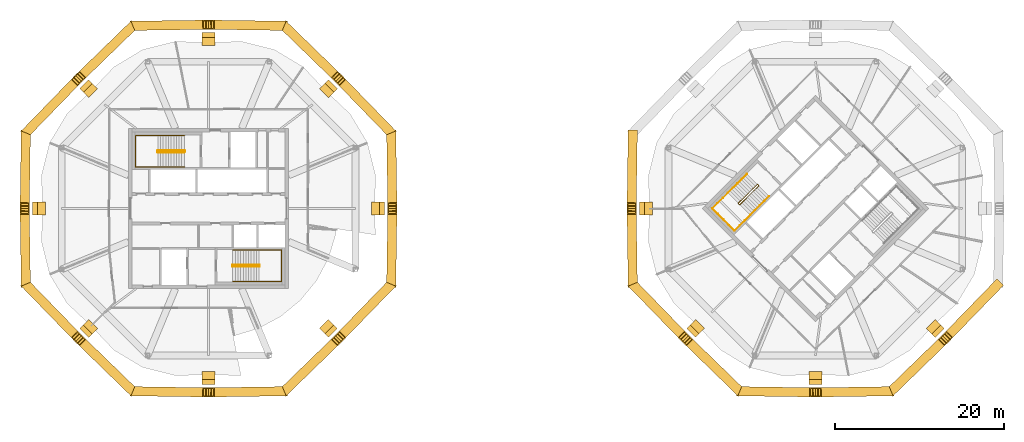
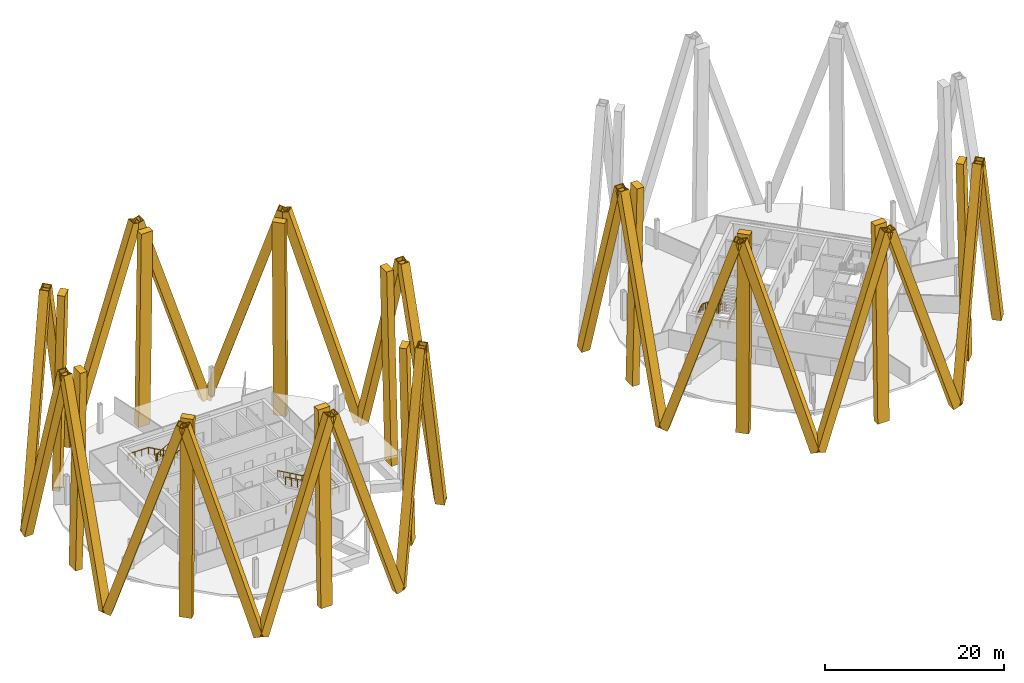
# One storey, part 10 of 11: 36 coverings, 6 railings.
"""IFC4 building model written with IfcOpenShell, lengths in metres."""

from ifc_helpers import new_model, si_unit, direction, frame, origin, origin_2d, place, context, subcontext, project, spatial, rectangle, hollow_rectangle, circle, extrude, material, material_profile, profile_set, type_object, element, save


model = new_model("IFC4")

# Units and contexts
model_context = context("Model", 3, precision=1e-05, world=origin(), true_north=direction((0.0, 1.0)))
body_context = subcontext(model_context, "Body", "Model", "MODEL_VIEW")
ifc_project = project(units=[si_unit("LENGTHUNIT", "METRE"), si_unit("AREAUNIT", "SQUARE_METRE"), si_unit("VOLUMEUNIT", "CUBIC_METRE"), si_unit("PLANEANGLEUNIT", "RADIAN"), si_unit("MASSUNIT", "GRAM", prefix="KILO")], contexts=[model_context])

# Site, building, storey
site_placement = place(None, origin())
site = spatial("IfcSite", under=ifc_project, at=site_placement, CompositionType="ELEMENT")
building_placement = place(site_placement, origin())
building = spatial("IfcBuilding", under=site, at=building_placement, Name="Ogive Gate Towers", CompositionType="ELEMENT")
storey_placement = place(building_placement, frame((0.0, 0.0, 244.5)))
storey = spatial("IfcBuildingStorey", under=building, at=storey_placement, Name="L58", CompositionType="ELEMENT", Elevation=244.5)

# Coverings
ifc_material_1 = material(Name="Pale metal aluminium", Category="aluminium")
ifc_material_profile_1 = material_profile(ifc_material_1, rectangle(XDim=1.5, YDim=0.89990234375, at=origin_2d()), Name="1500 x 900 pale metal aluminium")
ifc_profile_set_1 = profile_set([ifc_material_profile_1], Name="Pale metal aluminium")
covering_type_1 = type_object("IfcCoveringType", Name="Crease colonnette 1500 x 900", PredefinedType="CLADDING", material=ifc_profile_set_1)
for number, where, z_axis, x_axis, name in (
    (1, (-15.580078125, 0.0, -3.199951171875), (-0.022750161439, 0.0, 0.999741181584), (0.0, -1.0, 0.0), "Crease colonnette"),
    (2, (-21.560791015625, 14.439208984375, -3.199951171875), (-0.016092685203, -0.016092685203, 0.99974099194), (0.707106781187, -0.707106781187, 0.0), "Crease colonnette"),
    (3, (-36.0, 20.419921875, -3.199951171875), (0.0, -0.022750161439, 0.999741181584), (1.0, 0.0, 0.0), "Crease colonnette"),
    (4, (-50.439208984375, 14.439208984375, -3.199951171875), (0.016092685203, -0.016092685203, 0.99974099194), (0.707106781187, 0.707106781187, 0.0), "Crease colonnette"),
    (5, (-56.419921875, 0.0, -3.199951171875), (0.022750161439, 0.0, 0.999741181584), (0.0, 1.0, 0.0), "Crease colonnette"),
    (6, (-50.439208984375, -14.439208984375, -3.199951171875), (0.016092685203, 0.016092685203, 0.99974099194), (-0.707106781187, 0.707106781187, 0.0), "Crease colonnette"),
    (7, (-36.0, -20.419921875, -3.199951171875), (0.0, 0.022750161439, 0.999741181584), (-1.0, 0.0, 0.0), "Crease colonnette"),
    (8, (-21.560791015625, -14.439208984375, -3.199951171875), (-0.016092685203, 0.016092685203, 0.99974099194), (-0.707106781187, -0.707106781187, 0.0), "Crease colonnette"),
    (9, (15.580078125, 0.0, -3.199951171875), (0.022750161439, 0.0, 0.999741181584), (0.0, 1.0, 0.0), "Crease colonnette"),
    (10, (21.560791015625, -14.439208984375, -3.199951171875), (0.016092685203, 0.016092685203, 0.99974099194), (-0.707106781187, 0.707106781187, 0.0), "Crease colonnette"),
    (11, (36.0, -20.419921875, -3.199951171875), (0.0, 0.022750161439, 0.999741181584), (-1.0, 0.0, 0.0), "Crease colonnette"),
    (12, (50.439208984375, -14.439208984375, -3.199951171875), (-0.016092685203, 0.016092685203, 0.99974099194), (-0.707106781187, -0.707106781187, 0.0), "Crease colonnette"),
):
    element("IfcCovering", number, at=place(storey_placement, frame(where, z_axis=z_axis, x_axis=x_axis)), inside=storey, type_object=covering_type_1, Name=name, PredefinedType="CLADDING", context=body_context, shape_type="SweptSolid", body=[
        extrude(rectangle(XDim=1.5, YDim=0.89990234375, at=origin_2d()), origin(), (0.0, 0.0, 1.0), 26.806884765625),
    ])
ifc_material_2 = material(Name="Pale metal aluminium cladding", Category="aluminium")
ifc_material_profile_2 = material_profile(ifc_material_2, hollow_rectangle(XDim=1.10009765625, YDim=1.10009765625, WallThickness=0.10009765625, at=origin_2d()), Name="1100 x 1100 pale metal casing")
ifc_profile_set_2 = profile_set([ifc_material_profile_2], Name="Pale metal aluminium cladding")
covering_type_2 = type_object("IfcCoveringType", Name="Diagrid casing 1100 x 1100", PredefinedType="CLADDING", material=ifc_profile_set_2)
for number, where, z_axis, x_axis, name in (
    (13, (-14.3232421875, 8.81103515625, -3.3759765625), (0.00459236537, -0.303361717632, 0.952864407172), (0.999885436391, 0.015136515206, 0.0), "Diagrid casing"),
    (14, (-14.44189453125, 9.09765625, -3.3759765625), (-0.211266365975, 0.217743670407, 0.95286631623), (-0.717701064185, -0.696351335511, 0.0), "Diagrid casing"),
    (15, (-26.90234375, 21.55810546875, -3.3759765625), (0.217743670407, -0.211266365975, 0.95286631623), (0.696351335511, 0.717701064185, 0.0), "Diagrid casing"),
    (16, (-27.18896484375, 21.6767578125, -3.3759765625), (-0.303361717632, 0.00459236537, 0.952864407172), (-0.015136515206, -0.999885436391, 0.0), "Diagrid casing"),
    (17, (-44.81103515625, 21.6767578125, -3.3759765625), (0.303361717632, 0.00459236537, 0.952864407172), (-0.015136515206, 0.999885436391, 0.0), "Diagrid casing"),
    (18, (-45.09765625, 21.55810546875, -3.3759765625), (-0.217743670407, -0.211266365975, 0.95286631623), (0.696351335511, -0.717701064185, 0.0), "Diagrid casing"),
    (19, (-57.55810546875, 9.09765625, -3.3759765625), (0.211266365975, 0.217743670407, 0.95286631623), (-0.717701064185, 0.696351335511, 0.0), "Diagrid casing"),
    (20, (-57.6767578125, 8.81103515625, -3.3759765625), (-0.00459236537, -0.303361717632, 0.952864407172), (0.999885436391, -0.015136515206, 0.0), "Diagrid casing"),
    (21, (-57.6767578125, -8.81103515625, -3.3759765625), (-0.00459236537, 0.303361717632, 0.952864407172), (-0.999885436391, -0.015136515206, 0.0), "Diagrid casing"),
    (22, (-57.55810546875, -9.09765625, -3.3759765625), (0.211266365975, -0.217743670407, 0.95286631623), (0.717701064185, 0.696351335511, 0.0), "Diagrid casing"),
    (23, (-45.09765625, -21.55810546875, -3.3759765625), (-0.217743670407, 0.211266365975, 0.95286631623), (-0.696351335511, -0.717701064185, 0.0), "Diagrid casing"),
    (24, (-44.81103515625, -21.6767578125, -3.3759765625), (0.303361717632, -0.00459236537, 0.952864407172), (0.015136515206, 0.999885436391, 0.0), "Diagrid casing"),
    (25, (-27.18896484375, -21.6767578125, -3.3759765625), (-0.303361717632, -0.00459236537, 0.952864407172), (0.015136515206, -0.999885436391, 0.0), "Diagrid casing"),
    (26, (-26.90234375, -21.55810546875, -3.3759765625), (0.217743670407, 0.211266365975, 0.95286631623), (-0.696351335511, 0.717701064185, 0.0), "Diagrid casing"),
    (27, (-14.44189453125, -9.09765625, -3.3759765625), (-0.211266365975, -0.217743670407, 0.95286631623), (0.717701064185, -0.696351335511, 0.0), "Diagrid casing"),
    (28, (-14.3232421875, -8.81103515625, -3.3759765625), (0.00459236537, 0.303361717632, 0.952864407172), (-0.999885436391, 0.015136515206, 0.0), "Diagrid casing"),
    (29, (14.3232421875, 8.81103515625, -3.3759765625), (-0.00459236537, -0.303361717632, 0.952864407172), (0.999885436391, -0.015136515206, 0.0), "Diagrid casing"),
    (30, (14.3232421875, -8.81103515625, -3.3759765625), (-0.00459236537, 0.303361717632, 0.952864407172), (-0.999885436391, -0.015136515206, 0.0), "Diagrid casing"),
    (31, (14.44189453125, -9.09765625, -3.3759765625), (0.211266365975, -0.217743670407, 0.95286631623), (0.717701064185, 0.696351335511, 0.0), "Diagrid casing"),
    (32, (26.90234375, -21.55810546875, -3.3759765625), (-0.217743670407, 0.211266365975, 0.95286631623), (-0.696351335511, -0.717701064185, 0.0), "Diagrid casing"),
    (33, (27.18896484375, -21.6767578125, -3.3759765625), (0.303361717632, -0.00459236537, 0.952864407172), (0.015136515206, 0.999885436391, 0.0), "Diagrid casing"),
    (34, (44.81103515625, -21.6767578125, -3.3759765625), (-0.303361717632, -0.00459236537, 0.952864407172), (0.015136515206, -0.999885436391, 0.0), "Diagrid casing"),
    (35, (45.09765625, -21.55810546875, -3.3759765625), (0.217743670407, 0.211266365975, 0.95286631623), (-0.696351335511, 0.717701064185, 0.0), "Diagrid casing"),
    (36, (57.55810546875, -9.09765625, -3.3759765625), (-0.211266365975, -0.217743670407, 0.95286631623), (0.717701064185, -0.696351335511, 0.0), "Diagrid casing"),
):
    element("IfcCovering", number, at=place(storey_placement, frame(where, z_axis=z_axis, x_axis=x_axis)), inside=storey, type_object=covering_type_2, Name=name, PredefinedType="CLADDING", context=body_context, shape_type="SweptSolid", body=[
        extrude(hollow_rectangle(XDim=1.10009765625, YDim=1.10009765625, WallThickness=0.10009765625, at=origin_2d()), origin(), (0.0, 0.0, 1.0), 28.494873046875),
    ])

# Railings
ifc_material_3 = material(Name="Stainless steel", Category="steel")
railing_type_1 = type_object("IfcRailingType", Name="Stair guard 1100", PredefinedType="GUARDRAIL", material=ifc_material_3)
railing_1_placement = place(storey_placement, frame((-38.81494140625, 6.860107421875, 0.0)))
element("IfcRailing", 37, at=railing_1_placement, inside=storey, type_object=railing_type_1, Name="L58 ST1 stair guard 1", PredefinedType="GUARDRAIL", context=body_context, shape_type="SweptSolid", body=[
    extrude(circle(Radius=0.02392578125, at=origin_2d()), frame((0.0, 0.0, 1.076171875), z_axis=(0.0, -1.0, 0.0), x_axis=(1.0, 0.0, 0.0)), (0.0, 0.0, 1.0), 0.14501953125),
    extrude(circle(Radius=0.02392578125, at=origin_2d()), frame((0.0, -0.14501953125, 1.076171875), z_axis=(-0.186679794065, 0.726685247142, 0.661119660934), x_axis=(-0.968551454522, -0.24881334358, 0.0)), (0.0, 0.0, 1.0), 0.26806640625),
    extrude(circle(Radius=0.02392578125, at=origin_2d()), frame((-0.050048828125, 0.0498046875, 1.25341796875), z_axis=(-0.870572935281, 0.0, 0.492039393094), x_axis=(0.0, -1.0, 0.0)), (0.0, 0.0, 1.0), 3.602783203125),
    extrude(circle(Radius=0.02392578125, at=origin_2d()), frame((-3.1865234375, 0.0498046875, 3.02587890625), z_axis=(-0.707106781187, -0.707106781187, 0.0), x_axis=(0.707106781187, -0.707106781187, 0.0)), (0.0, 0.0, 1.0), 0.0703125),
    extrude(circle(Radius=0.02392578125, at=origin_2d()), frame((-3.236328125, 0.0, 3.02587890625), z_axis=(0.0, -1.0, 0.0), x_axis=(1.0, 0.0, 0.0)), (0.0, 0.0, 1.0), 0.14501953125),
    extrude(circle(Radius=0.02392578125, at=origin_2d()), frame((-3.236328125, -0.14501953125, 3.02587890625), z_axis=(0.261041864531, -0.262321481514, 0.929001929653), x_axis=(0.708833529934, 0.705375805398, 0.0)), (0.0, 0.0, 1.0), 0.190673828125),
    extrude(circle(Radius=0.02392578125, at=origin_2d()), frame((-3.1865234375, -0.195068359375, 3.203125), z_axis=(0.870572935281, 0.0, 0.492039393094), x_axis=(0.0, 1.0, 0.0)), (0.0, 0.0, 1.0), 3.602783203125),
    extrude(circle(Radius=0.02099609375, at=origin_2d()), origin(), (0.0, 0.0, 1.0), 1.052001953125),
    extrude(circle(Radius=0.02099609375, at=origin_2d()), frame((0.0, -0.14501953125, 0.0)), (0.0, 0.0, 1.0), 1.052001953125),
    extrude(circle(Radius=0.02099609375, at=origin_2d()), frame((-0.050048828125, 0.0498046875, 0.17724609375)), (0.0, 0.0, 1.0), 1.052001953125),
    extrude(circle(Radius=0.02099609375, at=origin_2d()), frame((-0.834228515625, 0.0498046875, 0.620361328125)), (0.0, 0.0, 1.0), 1.052001953125),
    extrude(circle(Radius=0.02099609375, at=origin_2d()), frame((-1.6181640625, 0.0498046875, 1.0634765625)), (0.0, 0.0, 1.0), 1.052001953125),
    extrude(circle(Radius=0.02099609375, at=origin_2d()), frame((-2.40234375, 0.0498046875, 1.5068359375)), (0.0, 0.0, 1.0), 1.052001953125),
    extrude(circle(Radius=0.02099609375, at=origin_2d()), frame((-3.1865234375, 0.0498046875, 1.949951171875)), (0.0, 0.0, 1.0), 1.052001953125),
    extrude(circle(Radius=0.02099609375, at=origin_2d()), frame((-3.236328125, 0.0, 1.949951171875)), (0.0, 0.0, 1.0), 1.052001953125),
    extrude(circle(Radius=0.02099609375, at=origin_2d()), frame((-3.236328125, -0.14501953125, 1.949951171875)), (0.0, 0.0, 1.0), 1.052001953125),
    extrude(circle(Radius=0.02099609375, at=origin_2d()), frame((-3.1865234375, -0.195068359375, 2.127197265625)), (0.0, 0.0, 1.0), 1.052001953125),
    extrude(circle(Radius=0.02099609375, at=origin_2d()), frame((-2.40234375, -0.195068359375, 2.5703125)), (0.0, 0.0, 1.0), 1.052001953125),
    extrude(circle(Radius=0.02099609375, at=origin_2d()), frame((-1.6181640625, -0.195068359375, 3.013671875)), (0.0, 0.0, 1.0), 1.052001953125),
    extrude(circle(Radius=0.02099609375, at=origin_2d()), frame((-0.834228515625, -0.195068359375, 3.456787109375)), (0.0, 0.0, 1.0), 1.052001953125),
    extrude(circle(Radius=0.02099609375, at=origin_2d()), frame((-0.050048828125, -0.195068359375, 3.89990234375)), (0.0, 0.0, 1.0), 1.052001953125),
])
railing_2_placement = place(storey_placement, frame((-33.18505859375, -6.860107421875, 0.0)))
element("IfcRailing", 38, at=railing_2_placement, inside=storey, type_object=railing_type_1, Name="L58 ST2 stair guard 1", PredefinedType="GUARDRAIL", context=body_context, shape_type="SweptSolid", body=[
    extrude(circle(Radius=0.02392578125, at=origin_2d()), frame((0.0, 0.0, 1.076171875), z_axis=(0.0, 1.0, 0.0), x_axis=(-1.0, 0.0, 0.0)), (0.0, 0.0, 1.0), 0.14501953125),
    extrude(circle(Radius=0.02392578125, at=origin_2d()), frame((0.0, 0.14501953125, 1.076171875), z_axis=(0.186679794065, -0.726685247142, 0.661119660934), x_axis=(0.968551454522, 0.24881334358, 0.0)), (0.0, 0.0, 1.0), 0.26806640625),
    extrude(circle(Radius=0.02392578125, at=origin_2d()), frame((0.050048828125, -0.0498046875, 1.25341796875), z_axis=(0.870572935281, 0.0, 0.492039393094), x_axis=(0.0, 1.0, 0.0)), (0.0, 0.0, 1.0), 3.602783203125),
    extrude(circle(Radius=0.02392578125, at=origin_2d()), frame((3.1865234375, -0.0498046875, 3.02587890625), z_axis=(0.707106781187, 0.707106781187, 0.0), x_axis=(-0.707106781187, 0.707106781187, 0.0)), (0.0, 0.0, 1.0), 0.0703125),
    extrude(circle(Radius=0.02392578125, at=origin_2d()), frame((3.236328125, 0.0, 3.02587890625), z_axis=(0.0, 1.0, 0.0), x_axis=(-1.0, 0.0, 0.0)), (0.0, 0.0, 1.0), 0.14501953125),
    extrude(circle(Radius=0.02392578125, at=origin_2d()), frame((3.236328125, 0.14501953125, 3.02587890625), z_axis=(-0.261041864531, 0.262321481514, 0.929001929653), x_axis=(-0.708833529934, -0.705375805398, 0.0)), (0.0, 0.0, 1.0), 0.190673828125),
    extrude(circle(Radius=0.02392578125, at=origin_2d()), frame((3.1865234375, 0.195068359375, 3.203125), z_axis=(-0.870572935281, 0.0, 0.492039393094), x_axis=(0.0, -1.0, 0.0)), (0.0, 0.0, 1.0), 3.602783203125),
    extrude(circle(Radius=0.02099609375, at=origin_2d()), origin(), (0.0, 0.0, 1.0), 1.052001953125),
    extrude(circle(Radius=0.02099609375, at=origin_2d()), frame((0.0, 0.14501953125, 0.0)), (0.0, 0.0, 1.0), 1.052001953125),
    extrude(circle(Radius=0.02099609375, at=origin_2d()), frame((0.050048828125, -0.0498046875, 0.17724609375)), (0.0, 0.0, 1.0), 1.052001953125),
    extrude(circle(Radius=0.02099609375, at=origin_2d()), frame((0.834228515625, -0.0498046875, 0.620361328125)), (0.0, 0.0, 1.0), 1.052001953125),
    extrude(circle(Radius=0.02099609375, at=origin_2d()), frame((1.6181640625, -0.0498046875, 1.0634765625)), (0.0, 0.0, 1.0), 1.052001953125),
    extrude(circle(Radius=0.02099609375, at=origin_2d()), frame((2.40234375, -0.0498046875, 1.5068359375)), (0.0, 0.0, 1.0), 1.052001953125),
    extrude(circle(Radius=0.02099609375, at=origin_2d()), frame((3.1865234375, -0.0498046875, 1.949951171875)), (0.0, 0.0, 1.0), 1.052001953125),
    extrude(circle(Radius=0.02099609375, at=origin_2d()), frame((3.236328125, 0.0, 1.949951171875)), (0.0, 0.0, 1.0), 1.052001953125),
    extrude(circle(Radius=0.02099609375, at=origin_2d()), frame((3.236328125, 0.14501953125, 1.949951171875)), (0.0, 0.0, 1.0), 1.052001953125),
    extrude(circle(Radius=0.02099609375, at=origin_2d()), frame((3.1865234375, 0.195068359375, 2.127197265625)), (0.0, 0.0, 1.0), 1.052001953125),
    extrude(circle(Radius=0.02099609375, at=origin_2d()), frame((2.40234375, 0.195068359375, 2.5703125)), (0.0, 0.0, 1.0), 1.052001953125),
    extrude(circle(Radius=0.02099609375, at=origin_2d()), frame((1.6181640625, 0.195068359375, 3.013671875)), (0.0, 0.0, 1.0), 1.052001953125),
    extrude(circle(Radius=0.02099609375, at=origin_2d()), frame((0.834228515625, 0.195068359375, 3.456787109375)), (0.0, 0.0, 1.0), 1.052001953125),
    extrude(circle(Radius=0.02099609375, at=origin_2d()), frame((0.050048828125, 0.195068359375, 3.89990234375)), (0.0, 0.0, 1.0), 1.052001953125),
])
railing_3_placement = place(storey_placement, frame((29.15869140625, 2.8603515625, 0.0)))
element("IfcRailing", 39, at=railing_3_placement, inside=storey, type_object=railing_type_1, Name="L58 ST1 stair guard 1", PredefinedType="GUARDRAIL", context=body_context, shape_type="SweptSolid", body=[
    extrude(circle(Radius=0.02392578125, at=origin_2d()), frame((0.0, 0.0, 1.076171875), z_axis=(0.707106781187, -0.707106781187, 0.0), x_axis=(0.707106781187, 0.707106781187, 0.0)), (0.0, 0.0, 1.0), 0.14501953125),
    extrude(circle(Radius=0.02392578125, at=origin_2d()), frame((0.1025390625, -0.1025390625, 1.076171875), z_axis=(-0.645571447971, 0.382425963537, 0.661050594114), x_axis=(-0.509669330572, -0.860370369942, 0.0)), (0.0, 0.0, 1.0), 0.26806640625),
    extrude(circle(Radius=0.02392578125, at=origin_2d()), frame((-0.070556640625, 0.0, 1.25341796875), z_axis=(-0.61558473135, -0.61558473135, 0.49204763698), x_axis=(0.707106781187, -0.707106781187, 0.0)), (0.0, 0.0, 1.0), 3.602783203125),
    extrude(circle(Radius=0.02392578125, at=origin_2d()), frame((-2.288330078125, -2.2177734375, 3.02587890625), z_axis=(0.0, -1.0, 0.0), x_axis=(1.0, 0.0, 0.0)), (0.0, 0.0, 1.0), 0.07080078125),
    extrude(circle(Radius=0.02392578125, at=origin_2d()), frame((-2.288330078125, -2.28857421875, 3.02587890625), z_axis=(0.707106781187, -0.707106781187, 0.0), x_axis=(0.707106781187, 0.707106781187, 0.0)), (0.0, 0.0, 1.0), 0.14501953125),
    extrude(circle(Radius=0.02392578125, at=origin_2d()), frame((-2.185791015625, -2.39111328125, 3.02587890625), z_axis=(0.369845645421, 0.0, 0.929093213065), x_axis=(0.0, 1.0, 0.0)), (0.0, 0.0, 1.0), 0.190673828125),
    extrude(circle(Radius=0.02392578125, at=origin_2d()), frame((-2.115234375, -2.39111328125, 3.203125), z_axis=(0.61558473135, 0.61558473135, 0.49204763698), x_axis=(-0.707106781187, 0.707106781187, 0.0)), (0.0, 0.0, 1.0), 3.602783203125),
    extrude(circle(Radius=0.02099609375, at=origin_2d()), origin(), (0.0, 0.0, 1.0), 1.052001953125),
    extrude(circle(Radius=0.02099609375, at=origin_2d()), frame((0.1025390625, -0.1025390625, 0.0)), (0.0, 0.0, 1.0), 1.052001953125),
    extrude(circle(Radius=0.02099609375, at=origin_2d()), frame((-0.070556640625, 0.0, 0.17724609375)), (0.0, 0.0, 1.0), 1.052001953125),
    extrude(circle(Radius=0.02099609375, at=origin_2d()), frame((-0.625, -0.554443359375, 0.620361328125)), (0.0, 0.0, 1.0), 1.052001953125),
    extrude(circle(Radius=0.02099609375, at=origin_2d()), frame((-1.179443359375, -1.10888671875, 1.0634765625)), (0.0, 0.0, 1.0), 1.052001953125),
    extrude(circle(Radius=0.02099609375, at=origin_2d()), frame((-1.73388671875, -1.663330078125, 1.5068359375)), (0.0, 0.0, 1.0), 1.052001953125),
    extrude(circle(Radius=0.02099609375, at=origin_2d()), frame((-2.288330078125, -2.2177734375, 1.949951171875)), (0.0, 0.0, 1.0), 1.052001953125),
    extrude(circle(Radius=0.02099609375, at=origin_2d()), frame((-2.288330078125, -2.28857421875, 1.949951171875)), (0.0, 0.0, 1.0), 1.052001953125),
    extrude(circle(Radius=0.02099609375, at=origin_2d()), frame((-2.185791015625, -2.39111328125, 1.949951171875)), (0.0, 0.0, 1.0), 1.052001953125),
    extrude(circle(Radius=0.02099609375, at=origin_2d()), frame((-2.115234375, -2.39111328125, 2.127197265625)), (0.0, 0.0, 1.0), 1.052001953125),
    extrude(circle(Radius=0.02099609375, at=origin_2d()), frame((-1.560791015625, -1.836669921875, 2.5703125)), (0.0, 0.0, 1.0), 1.052001953125),
    extrude(circle(Radius=0.02099609375, at=origin_2d()), frame((-1.00634765625, -1.2822265625, 3.013671875)), (0.0, 0.0, 1.0), 1.052001953125),
    extrude(circle(Radius=0.02099609375, at=origin_2d()), frame((-0.451904296875, -0.727783203125, 3.456787109375)), (0.0, 0.0, 1.0), 1.052001953125),
    extrude(circle(Radius=0.02099609375, at=origin_2d()), frame((0.1025390625, -0.17333984375, 3.89990234375)), (0.0, 0.0, 1.0), 1.052001953125),
])
railing_type_2 = type_object("IfcRailingType", Name="Stair handrail 900", PredefinedType="HANDRAIL", material=ifc_material_3)
railing_4_placement = place(storey_placement, frame((-38.864990234375, 8.64990234375, 0.17724609375)))
element("IfcRailing", 40, at=railing_4_placement, inside=storey, type_object=railing_type_2, Name="L58 ST1 stair handrail 1", PredefinedType="HANDRAIL", context=body_context, shape_type="SweptSolid", body=[
    extrude(circle(Radius=0.02392578125, at=origin_2d()), frame((0.0, 0.0, 0.8759765625), z_axis=(-0.870572935281, 0.0, 0.492039393094), x_axis=(0.0, -1.0, 0.0)), (0.0, 0.0, 1.0), 3.602783203125),
    extrude(circle(Radius=0.02392578125, at=origin_2d()), frame((-3.136474609375, 0.0, 2.6484375), z_axis=(-1.0, 0.0, 0.0), x_axis=(0.0, -1.0, 0.0)), (0.0, 0.0, 1.0), 2.6484375),
    extrude(circle(Radius=0.02392578125, at=origin_2d()), frame((-5.784912109375, 0.0, 2.6484375), z_axis=(0.0, -1.0, 0.0), x_axis=(1.0, 0.0, 0.0)), (0.0, 0.0, 1.0), 3.724853515625),
    extrude(circle(Radius=0.02392578125, at=origin_2d()), frame((-5.784912109375, -3.724853515625, 2.6484375), z_axis=(0.997768031817, 0.0, 0.066775404784), x_axis=(0.0, 1.0, 0.0)), (0.0, 0.0, 1.0), 2.654296875),
    extrude(circle(Radius=0.02392578125, at=origin_2d()), frame((-3.136474609375, -3.724853515625, 2.82568359375), z_axis=(0.870572935281, 0.0, 0.492039393094), x_axis=(0.0, 1.0, 0.0)), (0.0, 0.0, 1.0), 3.602783203125),
    extrude(circle(Radius=0.02099609375, at=origin_2d()), origin(), (0.0, 0.0, 1.0), 0.851806640625),
    extrude(circle(Radius=0.02099609375, at=origin_2d()), frame((-0.7841796875, 0.0, 0.443115234375)), (0.0, 0.0, 1.0), 0.851806640625),
    extrude(circle(Radius=0.02099609375, at=origin_2d()), frame((-1.568359375, 0.0, 0.88623046875)), (0.0, 0.0, 1.0), 0.851806640625),
    extrude(circle(Radius=0.02099609375, at=origin_2d()), frame((-2.352294921875, 0.0, 1.32958984375)), (0.0, 0.0, 1.0), 0.851806640625),
    extrude(circle(Radius=0.02099609375, at=origin_2d()), frame((-3.136474609375, 0.0, 1.772705078125)), (0.0, 0.0, 1.0), 0.851806640625),
    extrude(circle(Radius=0.02099609375, at=origin_2d()), frame((-4.019287109375, 0.0, 1.772705078125)), (0.0, 0.0, 1.0), 0.851806640625),
    extrude(circle(Radius=0.02099609375, at=origin_2d()), frame((-4.902099609375, 0.0, 1.772705078125)), (0.0, 0.0, 1.0), 0.851806640625),
    extrude(circle(Radius=0.02099609375, at=origin_2d()), frame((-5.784912109375, 0.0, 1.772705078125)), (0.0, 0.0, 1.0), 0.851806640625),
    extrude(circle(Radius=0.02099609375, at=origin_2d()), frame((-5.784912109375, -0.93115234375, 1.772705078125)), (0.0, 0.0, 1.0), 0.851806640625),
    extrude(circle(Radius=0.02099609375, at=origin_2d()), frame((-5.784912109375, -1.8623046875, 1.772705078125)), (0.0, 0.0, 1.0), 0.851806640625),
    extrude(circle(Radius=0.02099609375, at=origin_2d()), frame((-5.784912109375, -2.793701171875, 1.772705078125)), (0.0, 0.0, 1.0), 0.851806640625),
    extrude(circle(Radius=0.02099609375, at=origin_2d()), frame((-5.784912109375, -3.724853515625, 1.772705078125)), (0.0, 0.0, 1.0), 0.851806640625),
    extrude(circle(Radius=0.02099609375, at=origin_2d()), frame((-4.902099609375, -3.724853515625, 1.831787109375)), (0.0, 0.0, 1.0), 0.851806640625),
    extrude(circle(Radius=0.02099609375, at=origin_2d()), frame((-4.019287109375, -3.724853515625, 1.890869140625)), (0.0, 0.0, 1.0), 0.851806640625),
    extrude(circle(Radius=0.02099609375, at=origin_2d()), frame((-3.136474609375, -3.724853515625, 1.949951171875)), (0.0, 0.0, 1.0), 0.851806640625),
    extrude(circle(Radius=0.02099609375, at=origin_2d()), frame((-2.352294921875, -3.724853515625, 2.39306640625)), (0.0, 0.0, 1.0), 0.851806640625),
    extrude(circle(Radius=0.02099609375, at=origin_2d()), frame((-1.568359375, -3.724853515625, 2.83642578125)), (0.0, 0.0, 1.0), 0.851806640625),
    extrude(circle(Radius=0.02099609375, at=origin_2d()), frame((-0.7841796875, -3.724853515625, 3.279541015625)), (0.0, 0.0, 1.0), 0.851806640625),
    extrude(circle(Radius=0.02099609375, at=origin_2d()), frame((0.0, -3.724853515625, 3.72265625)), (0.0, 0.0, 1.0), 0.851806640625),
])
railing_5_placement = place(storey_placement, frame((-33.135009765625, -8.64990234375, 0.17724609375)))
element("IfcRailing", 41, at=railing_5_placement, inside=storey, type_object=railing_type_2, Name="L58 ST2 stair handrail 1", PredefinedType="HANDRAIL", context=body_context, shape_type="SweptSolid", body=[
    extrude(circle(Radius=0.02392578125, at=origin_2d()), frame((0.0, 0.0, 0.8759765625), z_axis=(0.870572935281, 0.0, 0.492039393094), x_axis=(0.0, 1.0, 0.0)), (0.0, 0.0, 1.0), 3.602783203125),
    extrude(circle(Radius=0.02392578125, at=origin_2d()), frame((3.136474609375, 0.0, 2.6484375), z_axis=(1.0, 0.0, 0.0), x_axis=(0.0, 1.0, 0.0)), (0.0, 0.0, 1.0), 2.6484375),
    extrude(circle(Radius=0.02392578125, at=origin_2d()), frame((5.784912109375, 0.0, 2.6484375), z_axis=(0.0, 1.0, 0.0), x_axis=(-1.0, 0.0, 0.0)), (0.0, 0.0, 1.0), 3.724853515625),
    extrude(circle(Radius=0.02392578125, at=origin_2d()), frame((5.784912109375, 3.724853515625, 2.6484375), z_axis=(-0.997768031817, 0.0, 0.066775404784), x_axis=(0.0, -1.0, 0.0)), (0.0, 0.0, 1.0), 2.654296875),
    extrude(circle(Radius=0.02392578125, at=origin_2d()), frame((3.136474609375, 3.724853515625, 2.82568359375), z_axis=(-0.870572935281, 0.0, 0.492039393094), x_axis=(0.0, -1.0, 0.0)), (0.0, 0.0, 1.0), 3.602783203125),
    extrude(circle(Radius=0.02099609375, at=origin_2d()), origin(), (0.0, 0.0, 1.0), 0.851806640625),
    extrude(circle(Radius=0.02099609375, at=origin_2d()), frame((0.7841796875, 0.0, 0.443115234375)), (0.0, 0.0, 1.0), 0.851806640625),
    extrude(circle(Radius=0.02099609375, at=origin_2d()), frame((1.568359375, 0.0, 0.88623046875)), (0.0, 0.0, 1.0), 0.851806640625),
    extrude(circle(Radius=0.02099609375, at=origin_2d()), frame((2.352294921875, 0.0, 1.32958984375)), (0.0, 0.0, 1.0), 0.851806640625),
    extrude(circle(Radius=0.02099609375, at=origin_2d()), frame((3.136474609375, 0.0, 1.772705078125)), (0.0, 0.0, 1.0), 0.851806640625),
    extrude(circle(Radius=0.02099609375, at=origin_2d()), frame((4.019287109375, 0.0, 1.772705078125)), (0.0, 0.0, 1.0), 0.851806640625),
    extrude(circle(Radius=0.02099609375, at=origin_2d()), frame((4.902099609375, 0.0, 1.772705078125)), (0.0, 0.0, 1.0), 0.851806640625),
    extrude(circle(Radius=0.02099609375, at=origin_2d()), frame((5.784912109375, 0.0, 1.772705078125)), (0.0, 0.0, 1.0), 0.851806640625),
    extrude(circle(Radius=0.02099609375, at=origin_2d()), frame((5.784912109375, 0.93115234375, 1.772705078125)), (0.0, 0.0, 1.0), 0.851806640625),
    extrude(circle(Radius=0.02099609375, at=origin_2d()), frame((5.784912109375, 1.8623046875, 1.772705078125)), (0.0, 0.0, 1.0), 0.851806640625),
    extrude(circle(Radius=0.02099609375, at=origin_2d()), frame((5.784912109375, 2.793701171875, 1.772705078125)), (0.0, 0.0, 1.0), 0.851806640625),
    extrude(circle(Radius=0.02099609375, at=origin_2d()), frame((5.784912109375, 3.724853515625, 1.772705078125)), (0.0, 0.0, 1.0), 0.851806640625),
    extrude(circle(Radius=0.02099609375, at=origin_2d()), frame((4.902099609375, 3.724853515625, 1.831787109375)), (0.0, 0.0, 1.0), 0.851806640625),
    extrude(circle(Radius=0.02099609375, at=origin_2d()), frame((4.019287109375, 3.724853515625, 1.890869140625)), (0.0, 0.0, 1.0), 0.851806640625),
    extrude(circle(Radius=0.02099609375, at=origin_2d()), frame((3.136474609375, 3.724853515625, 1.949951171875)), (0.0, 0.0, 1.0), 0.851806640625),
    extrude(circle(Radius=0.02099609375, at=origin_2d()), frame((2.352294921875, 3.724853515625, 2.39306640625)), (0.0, 0.0, 1.0), 0.851806640625),
    extrude(circle(Radius=0.02099609375, at=origin_2d()), frame((1.568359375, 3.724853515625, 2.83642578125)), (0.0, 0.0, 1.0), 0.851806640625),
    extrude(circle(Radius=0.02099609375, at=origin_2d()), frame((0.7841796875, 3.724853515625, 3.279541015625)), (0.0, 0.0, 1.0), 0.851806640625),
    extrude(circle(Radius=0.02099609375, at=origin_2d()), frame((0.0, 3.724853515625, 3.72265625)), (0.0, 0.0, 1.0), 0.851806640625),
])
railing_6_placement = place(storey_placement, frame((27.857666015625, 4.090576171875, 0.17724609375)))
element("IfcRailing", 42, at=railing_6_placement, inside=storey, type_object=railing_type_2, Name="L58 ST1 stair handrail 1", PredefinedType="HANDRAIL", context=body_context, shape_type="SweptSolid", body=[
    extrude(circle(Radius=0.02392578125, at=origin_2d()), frame((0.0, 0.0, 0.8759765625), z_axis=(-0.61558473135, -0.61558473135, 0.49204763698), x_axis=(0.707106781187, -0.707106781187, 0.0)), (0.0, 0.0, 1.0), 3.602783203125),
    extrude(circle(Radius=0.02392578125, at=origin_2d()), frame((-2.2177734375, -2.2177734375, 2.6484375), z_axis=(-0.707106781187, -0.707106781187, 0.0), x_axis=(0.707106781187, -0.707106781187, 0.0)), (0.0, 0.0, 1.0), 2.6484375),
    extrude(circle(Radius=0.02392578125, at=origin_2d()), frame((-4.090576171875, -4.090576171875, 2.6484375), z_axis=(0.707106781187, -0.707106781187, 0.0), x_axis=(0.707106781187, 0.707106781187, 0.0)), (0.0, 0.0, 1.0), 3.72509765625),
    extrude(circle(Radius=0.02392578125, at=origin_2d()), frame((-1.45654296875, -6.724609375, 2.6484375), z_axis=(0.705482886452, 0.705574853978, 0.066768423356), x_axis=(-0.70715286629, 0.70706069308, 0.0)), (0.0, 0.0, 1.0), 2.654541015625),
    extrude(circle(Radius=0.02392578125, at=origin_2d()), frame((0.416259765625, -4.8515625, 2.82568359375), z_axis=(0.615610411033, 0.615542642384, 0.4920681632), x_axis=(-0.70706785752, 0.70714570271, 0.0)), (0.0, 0.0, 1.0), 3.6025390625),
    extrude(circle(Radius=0.02099609375, at=origin_2d()), origin(), (0.0, 0.0, 1.0), 0.851806640625),
    extrude(circle(Radius=0.02099609375, at=origin_2d()), frame((-0.554443359375, -0.554443359375, 0.443115234375)), (0.0, 0.0, 1.0), 0.851806640625),
    extrude(circle(Radius=0.02099609375, at=origin_2d()), frame((-1.10888671875, -1.10888671875, 0.88623046875)), (0.0, 0.0, 1.0), 0.851806640625),
    extrude(circle(Radius=0.02099609375, at=origin_2d()), frame((-1.663330078125, -1.663330078125, 1.32958984375)), (0.0, 0.0, 1.0), 0.851806640625),
    extrude(circle(Radius=0.02099609375, at=origin_2d()), frame((-2.2177734375, -2.2177734375, 1.772705078125)), (0.0, 0.0, 1.0), 0.851806640625),
    extrude(circle(Radius=0.02099609375, at=origin_2d()), frame((-2.842041015625, -2.842041015625, 1.772705078125)), (0.0, 0.0, 1.0), 0.851806640625),
    extrude(circle(Radius=0.02099609375, at=origin_2d()), frame((-3.46630859375, -3.46630859375, 1.772705078125)), (0.0, 0.0, 1.0), 0.851806640625),
    extrude(circle(Radius=0.02099609375, at=origin_2d()), frame((-4.090576171875, -4.090576171875, 1.772705078125)), (0.0, 0.0, 1.0), 0.851806640625),
    extrude(circle(Radius=0.02099609375, at=origin_2d()), frame((-3.43212890625, -4.7490234375, 1.772705078125)), (0.0, 0.0, 1.0), 0.851806640625),
    extrude(circle(Radius=0.02099609375, at=origin_2d()), frame((-2.7734375, -5.40771484375, 1.772705078125)), (0.0, 0.0, 1.0), 0.851806640625),
    extrude(circle(Radius=0.02099609375, at=origin_2d()), frame((-2.114990234375, -6.066162109375, 1.772705078125)), (0.0, 0.0, 1.0), 0.851806640625),
    extrude(circle(Radius=0.02099609375, at=origin_2d()), frame((-1.45654296875, -6.724609375, 1.772705078125)), (0.0, 0.0, 1.0), 0.851806640625),
    extrude(circle(Radius=0.02099609375, at=origin_2d()), frame((-0.832275390625, -6.100341796875, 1.831787109375)), (0.0, 0.0, 1.0), 0.851806640625),
    extrude(circle(Radius=0.02099609375, at=origin_2d()), frame((-0.2080078125, -5.475830078125, 1.890869140625)), (0.0, 0.0, 1.0), 0.851806640625),
    extrude(circle(Radius=0.02099609375, at=origin_2d()), frame((0.416259765625, -4.8515625, 1.949951171875)), (0.0, 0.0, 1.0), 0.851806640625),
    extrude(circle(Radius=0.02099609375, at=origin_2d()), frame((0.970703125, -4.297119140625, 2.39306640625)), (0.0, 0.0, 1.0), 0.851806640625),
    extrude(circle(Radius=0.02099609375, at=origin_2d()), frame((1.525146484375, -3.74267578125, 2.83642578125)), (0.0, 0.0, 1.0), 0.851806640625),
    extrude(circle(Radius=0.02099609375, at=origin_2d()), frame((2.07958984375, -3.1884765625, 3.279541015625)), (0.0, 0.0, 1.0), 0.851806640625),
    extrude(circle(Radius=0.02099609375, at=origin_2d()), frame((2.634033203125, -2.634033203125, 3.72265625)), (0.0, 0.0, 1.0), 0.851806640625),
])

save(model, "model.ifc")
